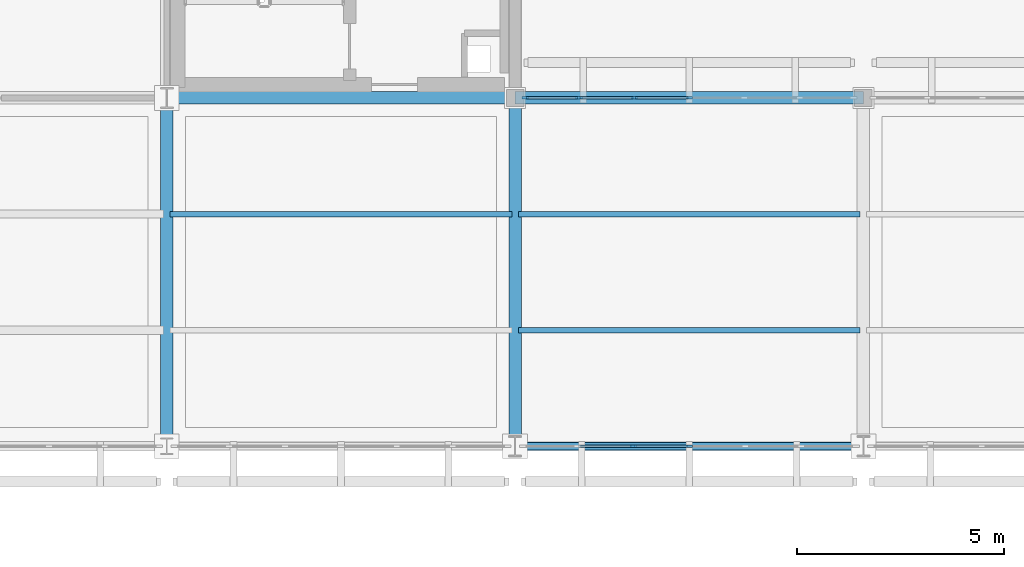
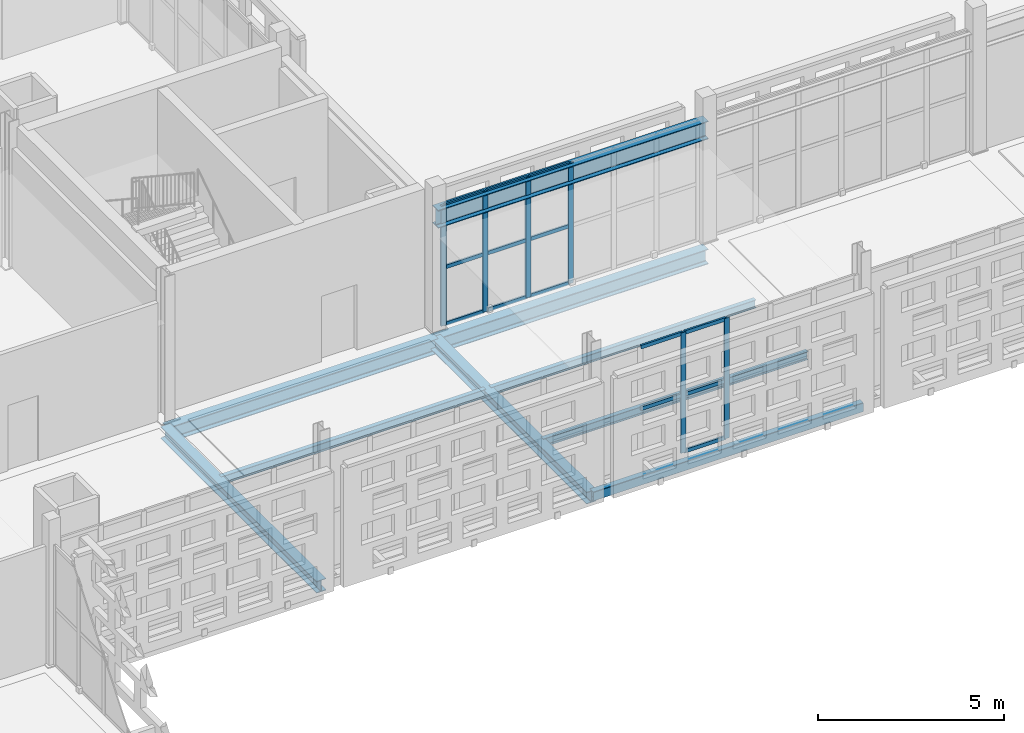
# One storey, part 44 of 203: 20 members, 9 beams, 2 elements without a shape of their own.
"""IFC4 building model written with IfcOpenShell, lengths in metres."""

import ifcopenshell
import ifcopenshell.guid

model = None  # the IFC model being written
_history = None  # IfcOwnerHistory: only IFC2X3 demands one
_inside = {}  # id of a spatial element -> (the spatial element, [elements in it])
_under = {}  # id of a project, library or spatial element -> (it, [spatial elements below it])
_declared = {}  # id of a project -> (the project, [libraries it declares])
_typed = {}  # id of a type object -> (the type object, [elements of that type])
_made_of = {}  # id of a material, layer set ... -> (it, [elements and type objects made of it])


def new_model(schema):
    """Start an empty IFC model of exactly this schema.

    Asked for "IFC4X3", IfcOpenShell would pick the latest addendum, in which some entities
    have other attributes; the version numbers below select the first issue.
    IFC2X3 requires an IfcOwnerHistory on every rooted entity: one is made here for all.
    """
    global model, _history
    if schema == "IFC4X3":
        model = ifcopenshell.file(schema_version=(4, 3, 0, 0))
    else:
        model = ifcopenshell.file(schema=schema)
    _inside.clear()
    _under.clear()
    _declared.clear()
    _typed.clear()
    _made_of.clear()
    _history = None
    if model.schema == "IFC2X3":
        org = make("IfcOrganization", Name="unknown")
        user = make(
            "IfcPersonAndOrganization",
            ThePerson=make("IfcPerson", FamilyName="unknown"),
            TheOrganization=org,
        )
        app = make(
            "IfcApplication",
            ApplicationDeveloper=org,
            Version="unknown",
            ApplicationFullName="unknown",
            ApplicationIdentifier="unknown",
        )
        _history = make(
            "IfcOwnerHistory",
            OwningUser=user,
            OwningApplication=app,
            ChangeAction="ADDED",
            CreationDate=0,
        )
    return model


def make(cls, **values):
    """One entity of the class cls with the attributes given. An attribute that is None is left unset."""
    return model.create_entity(
        cls, **{name: value for name, value in values.items() if value is not None}
    )


def rooted(cls, **values):
    """An entity with a GlobalId (a new one), such as an element, a storey or a relation."""
    return make(cls, GlobalId=ifcopenshell.guid.new(), OwnerHistory=_history, **values)


def si_unit(unit_type, name, prefix=None):
    """IfcSIUnit, for example si_unit("LENGTHUNIT", "METRE", prefix="MILLI")."""
    return make("IfcSIUnit", UnitType=unit_type, Prefix=prefix, Name=name)


def assignment(units):
    """IfcUnitAssignment: the units of a project."""
    return None if units is None else make("IfcUnitAssignment", Units=units)


def point(xyz):
    """IfcCartesianPoint."""
    return None if xyz is None else make("IfcCartesianPoint", Coordinates=xyz)


def direction(xyz):
    """IfcDirection."""
    return None if xyz is None else make("IfcDirection", DirectionRatios=xyz)


def frame(location, z_axis=None, x_axis=None):
    """IfcAxis2Placement3D, a coordinate frame: its origin and axes. An axis left out is left unset."""
    return make(
        "IfcAxis2Placement3D",
        Location=point(location),
        Axis=direction(z_axis),
        RefDirection=direction(x_axis),
    )


def frame_2d(location, x_axis=None):
    """IfcAxis2Placement2D, a coordinate frame in the plane: its origin and x axis."""
    return make(
        "IfcAxis2Placement2D", Location=point(location), RefDirection=direction(x_axis)
    )


def origin():
    """The frame at (0, 0, 0) with its axes left unset."""
    return frame((0.0, 0.0, 0.0))


def origin_2d():
    """The frame at (0, 0) in the plane with its x axis left unset."""
    return frame_2d((0.0, 0.0))


def place(relative_to, where):
    """IfcLocalPlacement: puts the frame where relative to a parent placement (None: the world)."""
    return make(
        "IfcLocalPlacement", PlacementRelTo=relative_to, RelativePlacement=where
    )


def context(
    kind, dimensions, precision=None, world=None, true_north=None, identifier=None
):
    """IfcGeometricRepresentationContext, for example the 3D "Model" context."""
    return make(
        "IfcGeometricRepresentationContext",
        ContextIdentifier=identifier,
        ContextType=kind,
        CoordinateSpaceDimension=dimensions,
        Precision=precision,
        WorldCoordinateSystem=world,
        TrueNorth=true_north,
    )


def subcontext(parent, identifier, kind, view, scale=None):
    """IfcGeometricRepresentationSubContext, for example "Body" below "Model"."""
    return make(
        "IfcGeometricRepresentationSubContext",
        ContextIdentifier=identifier,
        ContextType=kind,
        ParentContext=parent,
        TargetScale=scale,
        TargetView=view,
    )


def project(units=None, contexts=None):
    """IfcProject with its units and contexts."""
    return rooted(
        "IfcProject",
        Name="project",
        RepresentationContexts=contexts,
        UnitsInContext=assignment(units),
    )


def spatial(cls, under=None, at=None, **own):
    """A site, building, storey or space (cls), placed at a placement, below another one or the project."""
    s = rooted(cls, ObjectPlacement=at, **own)
    if under is not None:
        _under.setdefault(under.id(), (under, []))[1].append(s)
    return s


def profile(cls, at=None, kind="AREA", **sizes):
    """A parametric profile (cls). Its sizes go by their IFC names, for example OverallWidth=200.0."""
    return make(cls, ProfileType=kind, Position=at, **sizes)


def rectangle(**sizes):
    """IfcRectangleProfileDef."""
    return profile("IfcRectangleProfileDef", **sizes)


def hollow_rectangle(**sizes):
    """IfcRectangleHollowProfileDef."""
    return profile("IfcRectangleHollowProfileDef", **sizes)


def i_section(**sizes):
    """IfcIShapeProfileDef."""
    return profile("IfcIShapeProfileDef", **sizes)


def extrude(swept, where, along, depth):
    """IfcExtrudedAreaSolid: the profile swept, set in the frame where, extruded along a direction by depth."""
    return make(
        "IfcExtrudedAreaSolid",
        SweptArea=swept,
        Position=where,
        ExtrudedDirection=direction(along),
        Depth=depth,
    )


def shape(context_of_items, identifier, shape_type, items):
    """IfcShapeRepresentation: the items that make up one representation, for example the "Body"."""
    return make(
        "IfcShapeRepresentation",
        ContextOfItems=context_of_items,
        RepresentationIdentifier=identifier,
        RepresentationType=shape_type,
        Items=items,
    )


def material(Name=None, Category=None):
    """IfcMaterial."""
    return make("IfcMaterial", Name=Name, Category=Category)


def layer(
    of_material, thickness, ventilated=None, Name=None, Category=None, Priority=None
):
    """IfcMaterialLayer: one layer of a wall or slab, of a material (None: an air gap)."""
    return make(
        "IfcMaterialLayer",
        Material=of_material,
        LayerThickness=thickness,
        IsVentilated=ventilated,
        Name=Name,
        Category=Category,
        Priority=Priority,
    )


def layer_set(layers, Name=None):
    """IfcMaterialLayerSet."""
    return make("IfcMaterialLayerSet", MaterialLayers=layers, LayerSetName=Name)


def material_profile(
    of_material, cross_section, Name=None, Category=None, Priority=None
):
    """IfcMaterialProfile: a cross section and its material."""
    return make(
        "IfcMaterialProfile",
        Name=Name,
        Material=of_material,
        Profile=cross_section,
        Priority=Priority,
        Category=Category,
    )


def profile_set(profiles, Name=None, composite=None):
    """IfcMaterialProfileSet."""
    return make(
        "IfcMaterialProfileSet",
        Name=Name,
        MaterialProfiles=profiles,
        CompositeProfile=composite,
    )


def made_of(thing, what):
    """Note that an element or type object is made of a material, layer set ...; save() writes the relation."""
    if what is not None:
        _made_of.setdefault(what.id(), (what, []))[1].append(thing)
    return thing


def type_object(cls, material=None, **own):
    """A type object (cls), such as IfcWallType, which elements share."""
    return made_of(rooted(cls, **own), material)


def element(
    cls,
    number,
    at=None,
    inside=None,
    cuts=None,
    type_object=None,
    material=None,
    context=None,
    identifier="Body",
    shape_type=None,
    held_by="IfcProductDefinitionShape",
    body=None,
    shapes=None,
    **own,
):
    """One element of the class cls, such as IfcWall. Its Tag is "e" and its number.

    at: its placement. inside: the storey or other place that contains it. cuts: it is an
    opening in that element (IfcRelVoidsElement). A single representation is given by context,
    identifier, shape_type and body (its items); several are given by shapes. held_by: the class
    of the entity that holds the representations. save() writes the other relations.
    """
    e = rooted(cls, Tag="e%d" % number, ObjectPlacement=at, **own)
    if body is not None:
        shapes = [shape(context, identifier, shape_type, body)]
    if shapes is not None:
        e.Representation = make(held_by, Representations=shapes)
    if inside is not None:
        _inside.setdefault(inside.id(), (inside, []))[1].append(e)
    if cuts is not None:
        rooted(
            "IfcRelVoidsElement", RelatingBuildingElement=cuts, RelatedOpeningElement=e
        )
    if type_object is not None:
        _typed.setdefault(type_object.id(), (type_object, []))[1].append(e)
    return made_of(e, material)


def aggregate(whole, parts):
    """IfcRelAggregates: a whole, such as a stair, and the parts it consists of."""
    return rooted("IfcRelAggregates", RelatingObject=whole, RelatedObjects=parts)


def save(model, path):
    """Write the relations noted so far, then the file.

    IfcRelAggregates (storeys below a building ...), IfcRelContainedInSpatialStructure (elements
    in a storey), IfcRelDefinesByType, IfcRelAssociatesMaterial and IfcRelDeclares: one each for
    every whole, place, type object, material and project.
    """
    for whole, parts in _under.values():
        aggregate(whole, parts)
    for where, things in _inside.values():
        rooted(
            "IfcRelContainedInSpatialStructure",
            RelatedElements=things,
            RelatingStructure=where,
        )
    for kind, things in _typed.values():
        rooted("IfcRelDefinesByType", RelatedObjects=things, RelatingType=kind)
    for what, things in _made_of.values():
        rooted("IfcRelAssociatesMaterial", RelatedObjects=things, RelatingMaterial=what)
    for by, libraries in _declared.values():
        rooted("IfcRelDeclares", RelatingContext=by, RelatedDefinitions=libraries)
    model.write(path)


model = new_model("IFC4")

# Units and contexts
model_context = context("Model", 3, precision=1e-05, world=origin(), true_north=direction((0.0, 1.0)))
body_context = subcontext(model_context, "Body", "Model", "MODEL_VIEW")
ifc_project = project(units=[si_unit("LENGTHUNIT", "METRE"), si_unit("AREAUNIT", "SQUARE_METRE"), si_unit("VOLUMEUNIT", "CUBIC_METRE"), si_unit("PLANEANGLEUNIT", "RADIAN"), si_unit("MASSUNIT", "GRAM", prefix="KILO")], contexts=[model_context])

# Site, building, storey
site_placement = place(None, origin())
site = spatial("IfcSite", under=ifc_project, at=site_placement, CompositionType="ELEMENT")
building_placement = place(site_placement, origin())
building = spatial("IfcBuilding", under=site, at=building_placement, Name="Varnapada Polytechnic", CompositionType="ELEMENT")
storey_placement = place(building_placement, frame((0.0, 0.0, 4.800048828125)))
storey = spatial("IfcBuildingStorey", under=building, at=storey_placement, Name="L01", CompositionType="ELEMENT", Elevation=4.800048828125)

# Beams
ifc_material_1 = material(Name="Steel S355", Category="steel")
ifc_material_profile_1 = material_profile(ifc_material_1, i_section(OverallWidth=0.135009765625, OverallDepth=0.27001953125, WebThickness=0.006591796875, FlangeThickness=0.01025390625, FilletRadius=0.014892578125, at=origin_2d()), Name="IPE 270")
ifc_profile_set_1 = profile_set([ifc_material_profile_1], Name="Steel S355")
beam_type_1 = type_object("IfcBeamType", Name="Mezzanine heavy steel joist SJ-03 (IPE 270)", PredefinedType="JOIST", material=ifc_profile_set_1)
beam_1_placement = place(storey_placement, frame((50.47998046875, 89.60009765625, -0.39501953125), z_axis=(1.0, 0.0, 0.0), x_axis=(0.0, 1.0, 0.0)))
element("IfcBeam", 1, at=beam_1_placement, inside=storey, type_object=beam_type_1, Name="L01 floor joist 7/11.2", PredefinedType="JOIST", context=body_context, shape_type="SweptSolid", body=[
    extrude(i_section(OverallWidth=0.135009765625, OverallDepth=0.27001953125, WebThickness=0.006591796875, FlangeThickness=0.01025390625, FilletRadius=0.014892578125, at=origin_2d()), origin(), (0.0, 0.0, 1.0), 8.239990234375),
])
for number, where, z_axis, x_axis, name in (
    (2, (58.8798828125, 86.800048828125, -0.39501953125), (1.0, 0.0, 0.0), (0.0, 1.0, 0.0), "L01 floor joist 8/11.1"),
    (3, (58.8798828125, 89.60009765625, -0.39501953125), (1.0, 0.0, 0.0), (0.0, 1.0, 0.0), "L01 floor joist 8/11.2"),
):
    element("IfcBeam", number, at=place(storey_placement, frame(where, z_axis=z_axis, x_axis=x_axis)), inside=storey, type_object=beam_type_1, Name=name, PredefinedType="JOIST", context=body_context, shape_type="SweptSolid", body=[
        extrude(i_section(OverallWidth=0.135009765625, OverallDepth=0.27001953125, WebThickness=0.006591796875, FlangeThickness=0.01025390625, FilletRadius=0.014892578125, at=origin_2d()), origin(), (0.0, 0.0, 1.0), 8.240234375),
    ])

# Curtain wall, members
ifc_material_2 = material(Name="Double low-E laminated glass", Category="glass")
ifc_layer_1 = layer(ifc_material_2, 0.159912109375)
ifc_layer_set_1 = layer_set([ifc_layer_1], Name="Double low-E laminated glass")
curtain_wall_type_1 = type_object("IfcCurtainWallType", Name="Curtain Wall CW-01", PredefinedType="NOTDEFINED", material=ifc_layer_set_1)
curtain_wall_1_placement = place(storey_placement, origin())
curtain_wall_1 = element("IfcCurtainWall", 4, at=curtain_wall_1_placement, inside=storey, type_object=curtain_wall_type_1, Name="L01 unitised curtain wall CW-01 (57)", PredefinedType="NOTDEFINED")
ifc_material_3 = material(Name="Anodised aluminium", Category="aluminium")
ifc_material_profile_2 = material_profile(ifc_material_3, rectangle(XDim=0.06005859375, YDim=0.159912109375, at=origin_2d()), Name="ALU M60x160")
ifc_profile_set_2 = profile_set([ifc_material_profile_2], Name="Anodised aluminium")
member_type_1 = type_object("IfcMemberType", Name="Mullion M-01", PredefinedType="MULLION", material=ifc_profile_set_2)
member_1_placement = place(storey_placement, frame((63.0, 84.0, 0.0), z_axis=(0.0, 0.0, 1.0), x_axis=(0.0, -1.0, 0.0)))
member_1 = element("IfcMember", 5, at=member_1_placement, type_object=member_type_1, Name="CW-01 mullion 4", PredefinedType="MULLION", context=body_context, shape_type="SweptSolid", body=[
    extrude(rectangle(XDim=0.06005859375, YDim=0.159912109375, at=origin_2d()), origin(), (0.0, 0.0, 1.0), 3.9599609375),
])
member_2_placement = place(storey_placement, frame((61.64990234375, 84.0, 0.0), z_axis=(0.0, 0.0, 1.0), x_axis=(0.0, -1.0, 0.0)))
member_2 = element("IfcMember", 6, at=member_2_placement, type_object=member_type_1, Name="CW-01 mullion 5", PredefinedType="MULLION", context=body_context, shape_type="SweptSolid", body=[
    extrude(rectangle(XDim=0.06005859375, YDim=0.159912109375, at=origin_2d()), origin(), (0.0, 0.0, 1.0), 3.9599609375),
])

ifc_layer_2 = layer(ifc_material_2, 0.159912109375)
ifc_layer_set_2 = layer_set([ifc_layer_2], Name="Double low-E laminated glass")
curtain_wall_type_2 = type_object("IfcCurtainWallType", Name="Curtain Wall CW-02", PredefinedType="NOTDEFINED", material=ifc_layer_set_2)
curtain_wall_2_placement = place(storey_placement, origin())
curtain_wall_2 = element("IfcCurtainWall", 7, at=curtain_wall_2_placement, inside=storey, type_object=curtain_wall_type_2, Name="L01 unitised curtain wall CW-02 (58)", PredefinedType="NOTDEFINED")
member_3_placement = place(storey_placement, frame((59.0400390625, 92.39990234375, 0.0), z_axis=(0.0, 0.0, 1.0), x_axis=(0.0, 1.0, 0.0)))
member_3 = element("IfcMember", 8, at=member_3_placement, type_object=member_type_1, Name="CW-02 mullion 1", PredefinedType="MULLION", context=body_context, shape_type="SweptSolid", body=[
    extrude(rectangle(XDim=0.06005859375, YDim=0.159912109375, at=origin_2d()), origin(), (0.0, 0.0, 1.0), 3.9599609375),
])
member_4_placement = place(storey_placement, frame((60.340087890625, 92.39990234375, 0.0), z_axis=(0.0, 0.0, 1.0), x_axis=(0.0, 1.0, 0.0)))
member_4 = element("IfcMember", 9, at=member_4_placement, type_object=member_type_1, Name="CW-02 mullion 2", PredefinedType="MULLION", context=body_context, shape_type="SweptSolid", body=[
    extrude(rectangle(XDim=0.06005859375, YDim=0.159912109375, at=origin_2d()), origin(), (0.0, 0.0, 1.0), 3.9599609375),
])
member_5_placement = place(storey_placement, frame((61.669921875, 92.39990234375, 0.0), z_axis=(0.0, 0.0, 1.0), x_axis=(0.0, 1.0, 0.0)))
member_5 = element("IfcMember", 10, at=member_5_placement, type_object=member_type_1, Name="CW-02 mullion 3", PredefinedType="MULLION", context=body_context, shape_type="SweptSolid", body=[
    extrude(rectangle(XDim=0.06005859375, YDim=0.159912109375, at=origin_2d()), origin(), (0.0, 0.0, 1.0), 3.9599609375),
])
member_6_placement = place(storey_placement, frame((63.0, 92.39990234375, 0.0), z_axis=(0.0, 0.0, 1.0), x_axis=(0.0, 1.0, 0.0)))
member_6 = element("IfcMember", 11, at=member_6_placement, type_object=member_type_1, Name="CW-02 mullion 4", PredefinedType="MULLION", context=body_context, shape_type="SweptSolid", body=[
    extrude(rectangle(XDim=0.06005859375, YDim=0.159912109375, at=origin_2d()), origin(), (0.0, 0.0, 1.0), 3.9599609375),
])

# Beams
ifc_material_profile_3 = material_profile(ifc_material_1, i_section(OverallWidth=0.300048828125, OverallDepth=0.389892578125, WebThickness=0.010986328125, FlangeThickness=0.01904296875, FilletRadius=0.027099609375, at=origin_2d()), Name="HEA 400")
ifc_profile_set_3 = profile_set([ifc_material_profile_3], Name="Steel S355")
beam_type_2 = type_object("IfcBeamType", Name="Steel roof primary girder SG-01 (HEA 400)", PredefinedType="BEAM", material=ifc_profile_set_3)
for number, where, z_axis, x_axis, name in (
    (12, (50.39990234375, 84.0, -0.455078125), (0.0, 1.0, 0.0), (-1.0, 0.0, 0.0), "L01 beam Y 11-12 at X7"),
    (13, (58.800048828125, 84.0, -0.465087890625), (0.0, 1.0, 0.0), (-1.0, 0.0, 0.0), "L01 beam Y 11-12 at X8"),
):
    element("IfcBeam", number, at=place(storey_placement, frame(where, z_axis=z_axis, x_axis=x_axis)), inside=storey, type_object=beam_type_2, Name=name, PredefinedType="BEAM", context=body_context, shape_type="SweptSolid", body=[
        extrude(i_section(OverallWidth=0.300048828125, OverallDepth=0.389892578125, WebThickness=0.010986328125, FlangeThickness=0.01904296875, FilletRadius=0.027099609375, at=origin_2d()), origin(), (0.0, 0.0, 1.0), 8.39990234375),
    ])

# Member
ifc_material_profile_4 = material_profile(ifc_material_3, rectangle(XDim=0.06005859375, YDim=0.1201171875, at=origin_2d()), Name="ALU T60x120")
ifc_profile_set_4 = profile_set([ifc_material_profile_4], Name="Anodised aluminium")
member_type_2 = type_object("IfcMemberType", Name="Transom T-01", PredefinedType="USERDEFINED", material=ifc_profile_set_4)
member_7_placement = place(storey_placement, frame((62.969970703125, 84.0, 0.030029296875), z_axis=(-1.0, 0.0, 0.0), x_axis=(0.0, -1.0, 0.0)))
member_7 = element("IfcMember", 14, at=member_7_placement, type_object=member_type_2, Name="CW-01 transom 4.1", ObjectType="TRANSOM", PredefinedType="USERDEFINED", context=body_context, shape_type="SweptSolid", body=[
    extrude(rectangle(XDim=0.06005859375, YDim=0.1201171875, at=origin_2d()), origin(), (0.0, 0.0, 1.0), 1.2900390625),
])

member_8_placement = place(storey_placement, frame((62.969970703125, 84.0, 1.900634765625), z_axis=(-1.0, 0.0, 0.0), x_axis=(0.0, -1.0, 0.0)))
member_8 = element("IfcMember", 15, at=member_8_placement, type_object=member_type_2, Name="CW-01 transom 4.2", ObjectType="TRANSOM", PredefinedType="USERDEFINED", context=body_context, shape_type="SweptSolid", body=[
    extrude(rectangle(XDim=0.06005859375, YDim=0.1201171875, at=origin_2d()), origin(), (0.0, 0.0, 1.0), 1.2900390625),
])

member_9_placement = place(storey_placement, frame((62.969970703125, 84.0, 3.929931640625), z_axis=(-1.0, 0.0, 0.0), x_axis=(0.0, -1.0, 0.0)))
member_9 = element("IfcMember", 16, at=member_9_placement, type_object=member_type_2, Name="CW-01 transom 4.3", ObjectType="TRANSOM", PredefinedType="USERDEFINED", context=body_context, shape_type="SweptSolid", body=[
    extrude(rectangle(XDim=0.06005859375, YDim=0.1201171875, at=origin_2d()), origin(), (0.0, 0.0, 1.0), 1.2900390625),
])

member_10_placement = place(storey_placement, frame((61.6201171875, 84.0, 1.900634765625), z_axis=(-1.0, 0.0, 0.0), x_axis=(0.0, -1.0, 0.0)))
member_10 = element("IfcMember", 17, at=member_10_placement, type_object=member_type_2, Name="CW-01 transom 5.2", ObjectType="TRANSOM", PredefinedType="USERDEFINED", context=body_context, shape_type="SweptSolid", body=[
    extrude(rectangle(XDim=0.06005859375, YDim=0.1201171875, at=origin_2d()), origin(), (0.0, 0.0, 1.0), 1.2900390625),
])

member_11_placement = place(storey_placement, frame((61.6201171875, 84.0, 3.929931640625), z_axis=(-1.0, 0.0, 0.0), x_axis=(0.0, -1.0, 0.0)))
member_11 = element("IfcMember", 18, at=member_11_placement, type_object=member_type_2, Name="CW-01 transom 5.3", ObjectType="TRANSOM", PredefinedType="USERDEFINED", context=body_context, shape_type="SweptSolid", body=[
    extrude(rectangle(XDim=0.06005859375, YDim=0.1201171875, at=origin_2d()), origin(), (0.0, 0.0, 1.0), 1.2900390625),
])

aggregate(curtain_wall_1, [member_1, member_2, member_7, member_8, member_9, member_10, member_11])

member_12_placement = place(storey_placement, frame((59.070068359375, 92.39990234375, 0.030029296875), z_axis=(1.0, 0.0, 0.0), x_axis=(0.0, 1.0, 0.0)))
member_12 = element("IfcMember", 19, at=member_12_placement, type_object=member_type_2, Name="CW-02 transom 1.1", ObjectType="TRANSOM", PredefinedType="USERDEFINED", context=body_context, shape_type="SweptSolid", body=[
    extrude(rectangle(XDim=0.06005859375, YDim=0.1201171875, at=origin_2d()), origin(), (0.0, 0.0, 1.0), 1.239990234375),
])

member_13_placement = place(storey_placement, frame((59.070068359375, 92.39990234375, 1.900634765625), z_axis=(1.0, 0.0, 0.0), x_axis=(0.0, 1.0, 0.0)))
member_13 = element("IfcMember", 20, at=member_13_placement, type_object=member_type_2, Name="CW-02 transom 1.2", ObjectType="TRANSOM", PredefinedType="USERDEFINED", context=body_context, shape_type="SweptSolid", body=[
    extrude(rectangle(XDim=0.06005859375, YDim=0.1201171875, at=origin_2d()), origin(), (0.0, 0.0, 1.0), 1.239990234375),
])

member_14_placement = place(storey_placement, frame((59.070068359375, 92.39990234375, 3.929931640625), z_axis=(1.0, 0.0, 0.0), x_axis=(0.0, 1.0, 0.0)))
member_14 = element("IfcMember", 21, at=member_14_placement, type_object=member_type_2, Name="CW-02 transom 1.3", ObjectType="TRANSOM", PredefinedType="USERDEFINED", context=body_context, shape_type="SweptSolid", body=[
    extrude(rectangle(XDim=0.06005859375, YDim=0.1201171875, at=origin_2d()), origin(), (0.0, 0.0, 1.0), 1.239990234375),
])

member_15_placement = place(storey_placement, frame((60.3701171875, 92.39990234375, 0.030029296875), z_axis=(1.0, 0.0, 0.0), x_axis=(0.0, 1.0, 0.0)))
member_15 = element("IfcMember", 22, at=member_15_placement, type_object=member_type_2, Name="CW-02 transom 2.1", ObjectType="TRANSOM", PredefinedType="USERDEFINED", context=body_context, shape_type="SweptSolid", body=[
    extrude(rectangle(XDim=0.06005859375, YDim=0.1201171875, at=origin_2d()), origin(), (0.0, 0.0, 1.0), 1.269775390625),
])

member_16_placement = place(storey_placement, frame((60.3701171875, 92.39990234375, 1.900634765625), z_axis=(1.0, 0.0, 0.0), x_axis=(0.0, 1.0, 0.0)))
member_16 = element("IfcMember", 23, at=member_16_placement, type_object=member_type_2, Name="CW-02 transom 2.2", ObjectType="TRANSOM", PredefinedType="USERDEFINED", context=body_context, shape_type="SweptSolid", body=[
    extrude(rectangle(XDim=0.06005859375, YDim=0.1201171875, at=origin_2d()), origin(), (0.0, 0.0, 1.0), 1.269775390625),
])

member_17_placement = place(storey_placement, frame((60.3701171875, 92.39990234375, 3.929931640625), z_axis=(1.0, 0.0, 0.0), x_axis=(0.0, 1.0, 0.0)))
member_17 = element("IfcMember", 24, at=member_17_placement, type_object=member_type_2, Name="CW-02 transom 2.3", ObjectType="TRANSOM", PredefinedType="USERDEFINED", context=body_context, shape_type="SweptSolid", body=[
    extrude(rectangle(XDim=0.06005859375, YDim=0.1201171875, at=origin_2d()), origin(), (0.0, 0.0, 1.0), 1.269775390625),
])

member_18_placement = place(storey_placement, frame((61.699951171875, 92.39990234375, 0.030029296875), z_axis=(1.0, 0.0, 0.0), x_axis=(0.0, 1.0, 0.0)))
member_18 = element("IfcMember", 25, at=member_18_placement, type_object=member_type_2, Name="CW-02 transom 3.1", ObjectType="TRANSOM", PredefinedType="USERDEFINED", context=body_context, shape_type="SweptSolid", body=[
    extrude(rectangle(XDim=0.06005859375, YDim=0.1201171875, at=origin_2d()), origin(), (0.0, 0.0, 1.0), 1.27001953125),
])

member_19_placement = place(storey_placement, frame((61.699951171875, 92.39990234375, 1.900634765625), z_axis=(1.0, 0.0, 0.0), x_axis=(0.0, 1.0, 0.0)))
member_19 = element("IfcMember", 26, at=member_19_placement, type_object=member_type_2, Name="CW-02 transom 3.2", ObjectType="TRANSOM", PredefinedType="USERDEFINED", context=body_context, shape_type="SweptSolid", body=[
    extrude(rectangle(XDim=0.06005859375, YDim=0.1201171875, at=origin_2d()), origin(), (0.0, 0.0, 1.0), 1.27001953125),
])

member_20_placement = place(storey_placement, frame((61.699951171875, 92.39990234375, 3.929931640625), z_axis=(1.0, 0.0, 0.0), x_axis=(0.0, 1.0, 0.0)))
member_20 = element("IfcMember", 27, at=member_20_placement, type_object=member_type_2, Name="CW-02 transom 3.3", ObjectType="TRANSOM", PredefinedType="USERDEFINED", context=body_context, shape_type="SweptSolid", body=[
    extrude(rectangle(XDim=0.06005859375, YDim=0.1201171875, at=origin_2d()), origin(), (0.0, 0.0, 1.0), 1.27001953125),
])

aggregate(curtain_wall_2, [member_3, member_4, member_5, member_6, member_12, member_13, member_14, member_15, member_16, member_17, member_18, member_19, member_20])

# Beams
ifc_material_profile_5 = material_profile(ifc_material_1, i_section(OverallWidth=0.300048828125, OverallDepth=0.590087890625, WebThickness=0.012939453125, FlangeThickness=0.02490234375, FilletRadius=0.027099609375, at=origin_2d()), Name="HEA 600")
ifc_profile_set_5 = profile_set([ifc_material_profile_5], Name="Steel S355")
beam_type_3 = type_object("IfcBeamType", Name="Workshop bridge crane runway girder CR-01 (HEA 600)", PredefinedType="BEAM", material=ifc_profile_set_5)
beam_2_placement = place(storey_placement, frame((58.800048828125, 92.39990234375, 3.64501953125), z_axis=(1.0, 0.0, 0.0), x_axis=(0.0, 1.0, 0.0)))
element("IfcBeam", 28, at=beam_2_placement, inside=storey, type_object=beam_type_3, Name="Workshop bridge crane runway girder 8-9 line 12", PredefinedType="BEAM", context=body_context, shape_type="SweptSolid", body=[
    extrude(i_section(OverallWidth=0.300048828125, OverallDepth=0.590087890625, WebThickness=0.012939453125, FlangeThickness=0.02490234375, FilletRadius=0.027099609375, at=origin_2d()), origin(), (0.0, 0.0, 1.0), 8.39990234375),
])
ifc_material_profile_6 = material_profile(ifc_material_1, i_section(OverallWidth=0.300048828125, OverallDepth=0.489990234375, WebThickness=0.011962890625, FlangeThickness=0.02294921875, FilletRadius=0.027099609375, at=origin_2d()), Name="HEA 500")
ifc_profile_set_6 = profile_set([ifc_material_profile_6], Name="Steel S355")
beam_type_4 = type_object("IfcBeamType", Name="Workshop gallery edge girder CR-02 (HEA 500)", PredefinedType="BEAM", material=ifc_profile_set_6)
beam_3_placement = place(storey_placement, frame((50.39990234375, 92.39990234375, -0.51513671875), z_axis=(1.0, 0.0, 0.0), x_axis=(0.0, 1.0, 0.0)))
element("IfcBeam", 29, at=beam_3_placement, inside=storey, type_object=beam_type_4, Name="L01 beam X 7-8 at Y12", PredefinedType="BEAM", context=body_context, shape_type="SweptSolid", body=[
    extrude(i_section(OverallWidth=0.300048828125, OverallDepth=0.489990234375, WebThickness=0.011962890625, FlangeThickness=0.02294921875, FilletRadius=0.027099609375, at=origin_2d()), origin(), (0.0, 0.0, 1.0), 8.400146484375),
])
beam_4_placement = place(storey_placement, frame((58.800048828125, 92.39990234375, -0.51513671875), z_axis=(1.0, 0.0, 0.0), x_axis=(0.0, 1.0, 0.0)))
element("IfcBeam", 30, at=beam_4_placement, inside=storey, type_object=beam_type_4, Name="L01 beam X 8-9 at Y12", PredefinedType="BEAM", context=body_context, shape_type="SweptSolid", body=[
    extrude(i_section(OverallWidth=0.300048828125, OverallDepth=0.489990234375, WebThickness=0.011962890625, FlangeThickness=0.02294921875, FilletRadius=0.027099609375, at=origin_2d()), origin(), (0.0, 0.0, 1.0), 8.39990234375),
])
ifc_material_profile_7 = material_profile(ifc_material_1, hollow_rectangle(XDim=0.199951171875, YDim=0.300048828125, WallThickness=0.010009765625, InnerFilletRadius=0.010009765625, OuterFilletRadius=0.02001953125, at=origin_2d()), Name="RHS 300x200x10")
ifc_profile_set_7 = profile_set([ifc_material_profile_7], Name="Steel S355")
beam_type_5 = type_object("IfcBeamType", Name="Workshop steel spandrel tie SP-03 (RHS 300x200x10)", PredefinedType="SPANDREL", material=ifc_profile_set_7)
beam_5_placement = place(storey_placement, frame((58.800048828125, 84.0, -0.41015625), z_axis=(1.0, 0.0, 0.0), x_axis=(0.0, 1.0, 0.0)))
element("IfcBeam", 31, at=beam_5_placement, inside=storey, type_object=beam_type_5, Name="L01 beam X 8-9 at Y11", PredefinedType="SPANDREL", context=body_context, shape_type="SweptSolid", body=[
    extrude(hollow_rectangle(XDim=0.199951171875, YDim=0.300048828125, WallThickness=0.010009765625, InnerFilletRadius=0.010009765625, OuterFilletRadius=0.02001953125, at=origin_2d()), origin(), (0.0, 0.0, 1.0), 8.39990234375),
])

save(model, "model.ifc")
